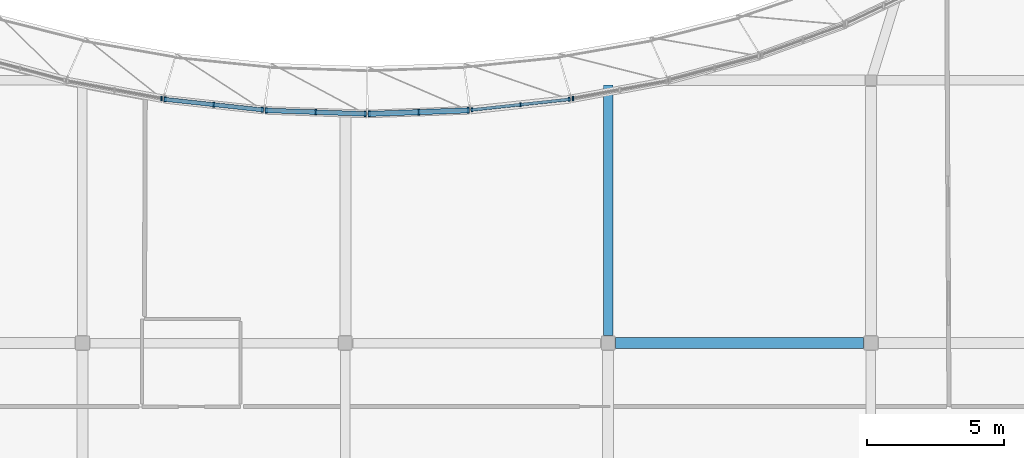
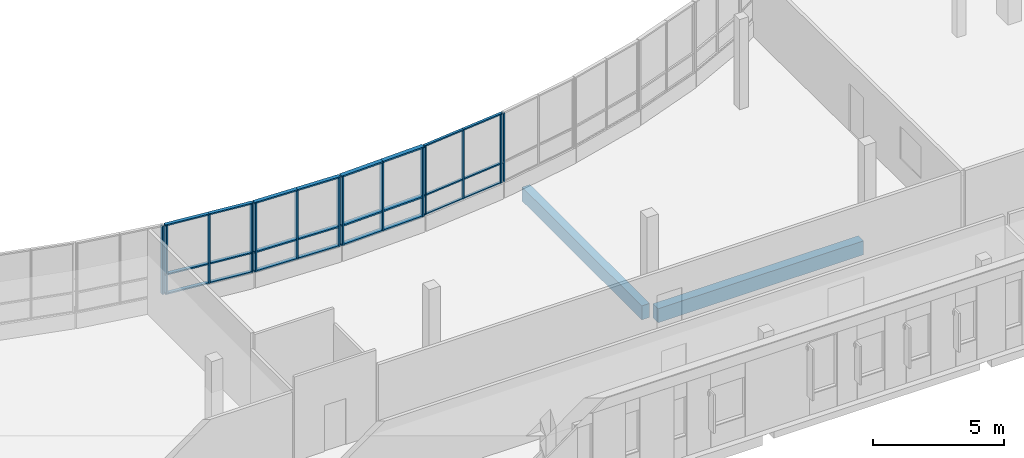
# One storey, part 14 of 84: 38 members, 2 beams, 6 elements without a shape of their own.
"""IFC4 building model written with IfcOpenShell, lengths in metres."""

from ifc_helpers import new_model, si_unit, direction, frame, origin, origin_2d, place, context, subcontext, project, spatial, rectangle, extrude, material, material_profile, profile_set, type_object, element, aggregate, save


model = new_model("IFC4")

# Units and contexts
model_context = context("Model", 3, precision=1e-05, world=origin(), true_north=direction((0.0, 1.0)))
body_context = subcontext(model_context, "Body", "Model", "MODEL_VIEW")
ifc_project = project(units=[si_unit("LENGTHUNIT", "METRE"), si_unit("AREAUNIT", "SQUARE_METRE"), si_unit("VOLUMEUNIT", "CUBIC_METRE"), si_unit("PLANEANGLEUNIT", "RADIAN"), si_unit("MASSUNIT", "GRAM", prefix="KILO")], contexts=[model_context])

# Site, building, storey
site_placement = place(None, origin())
site = spatial("IfcSite", under=ifc_project, at=site_placement, CompositionType="ELEMENT")
building_placement = place(site_placement, origin())
building = spatial("IfcBuilding", under=site, at=building_placement, Name="Mzevani Central Library", CompositionType="ELEMENT")
storey_placement = place(building_placement, frame((0.0, 0.0, 5.39990234375)))
storey = spatial("IfcBuildingStorey", under=building, at=storey_placement, Name="L01", CompositionType="ELEMENT", Elevation=5.39990234375)

# Beams
ifc_material_1 = material(Name="Concrete C35/45", Category="concrete")
ifc_material_profile_1 = material_profile(ifc_material_1, rectangle(XDim=0.35009765625, YDim=0.64990234375, at=origin_2d()), Name="RC B350x650")
ifc_profile_set_1 = profile_set([ifc_material_profile_1], Name="Concrete C35/45")
beam_type_1 = type_object("IfcBeamType", Name="Beam RC 350x650", PredefinedType="BEAM", material=ifc_profile_set_1)
beam_1_placement = place(storey_placement, frame((92.800048828125, 52.27490234375, -0.5849609375), z_axis=(0.0, 1.0, 0.0), x_axis=(-1.0, 0.0, 0.0)))
element("IfcBeam", 1, at=beam_1_placement, inside=storey, type_object=beam_type_1, Name="L01 V1 Frame Beam B-05 (52)", PredefinedType="BEAM", context=body_context, shape_type="SweptSolid", body=[
    extrude(rectangle(XDim=0.35009765625, YDim=0.64990234375, at=origin_2d()), origin(), (0.0, 0.0, 1.0), 9.150146484375),
])
ifc_material_profile_2 = material_profile(ifc_material_1, rectangle(XDim=0.39990234375, YDim=0.64990234375, at=origin_2d()), Name="RC B400x650")
ifc_profile_set_2 = profile_set([ifc_material_profile_2], Name="Concrete C35/45")
beam_type_2 = type_object("IfcBeamType", Name="Beam RC 400x650", PredefinedType="BEAM", material=ifc_profile_set_2)
beam_2_placement = place(storey_placement, frame((93.074951171875, 52.0, -0.5849609375), z_axis=(1.0, 0.0, 0.0), x_axis=(0.0, 1.0, 0.0)))
element("IfcBeam", 2, at=beam_2_placement, inside=storey, type_object=beam_type_2, Name="L01 V1 Girder B-07 (18)", PredefinedType="BEAM", context=body_context, shape_type="SweptSolid", body=[
    extrude(rectangle(XDim=0.39990234375, YDim=0.64990234375, at=origin_2d()), origin(), (0.0, 0.0, 1.0), 9.050048828125),
])

# Curtain wall, members
ifc_material_2 = material(Name="Thermally broken aluminium and Low-E triple glazing", Category="aluminium")
curtain_wall_type_1 = type_object("IfcCurtainWallType", Name="Elliptical Court Unitised Curtain Wall", PredefinedType="NOTDEFINED", material=ifc_material_2)
curtain_wall_1_placement = place(storey_placement, origin())
curtain_wall_1 = element("IfcCurtainWall", 3, at=curtain_wall_1_placement, inside=storey, type_object=curtain_wall_type_1, Name="L01 Elliptical Court Curtain Wall 38", PredefinedType="NOTDEFINED")
ifc_material_3 = material(Name="Thermally broken aluminium AW-6060", Category="aluminium")
ifc_material_profile_3 = material_profile(ifc_material_3, rectangle(XDim=0.06005859375, YDim=0.139892578125, at=origin_2d()), Name="ALU M60x140")
ifc_profile_set_3 = profile_set([ifc_material_profile_3], Name="Thermally broken aluminium AW-6060")
member_type_1 = type_object("IfcMemberType", Name="CW Mullion 60x140", PredefinedType="MULLION", material=ifc_profile_set_3)
member_1_placement = place(storey_placement, frame((87.83251953125, 60.518310546875, 0.72021484375), z_axis=(0.0, 0.0, 1.0), x_axis=(1.0, 0.0, 0.0)))
member_1 = element("IfcMember", 4, at=member_1_placement, type_object=member_type_1, Name="L01 Elliptical Court Curtain Wall 38 Mullion 1", PredefinedType="MULLION", context=body_context, shape_type="SweptSolid", body=[
    extrude(rectangle(XDim=0.06005859375, YDim=0.139892578125, at=origin_2d()), origin(), (0.0, 0.0, 1.0), 3.199951171875),
])
member_2_placement = place(storey_placement, frame((89.6044921875, 60.709716796875, 0.72021484375), z_axis=(0.0, 0.0, 1.0), x_axis=(1.0, 0.0, 0.0)))
member_2 = element("IfcMember", 5, at=member_2_placement, type_object=member_type_1, Name="L01 Elliptical Court Curtain Wall 38 Mullion 2", PredefinedType="MULLION", context=body_context, shape_type="SweptSolid", body=[
    extrude(rectangle(XDim=0.06005859375, YDim=0.139892578125, at=origin_2d()), origin(), (0.0, 0.0, 1.0), 3.199951171875),
])
member_3_placement = place(storey_placement, frame((91.37646484375, 60.90087890625, 0.72021484375), z_axis=(0.0, 0.0, 1.0), x_axis=(1.0, 0.0, 0.0)))
member_3 = element("IfcMember", 6, at=member_3_placement, type_object=member_type_1, Name="L01 Elliptical Court Curtain Wall 38 Mullion 3", PredefinedType="MULLION", context=body_context, shape_type="SweptSolid", body=[
    extrude(rectangle(XDim=0.06005859375, YDim=0.139892578125, at=origin_2d()), origin(), (0.0, 0.0, 1.0), 3.199951171875),
])

# Curtain wall, member
curtain_wall_type_2 = type_object("IfcCurtainWallType", Name="Reading Hall Northlight Curtain Wall", PredefinedType="NOTDEFINED", material=ifc_material_2)
curtain_wall_2_placement = place(storey_placement, origin())
curtain_wall_2 = element("IfcCurtainWall", 7, at=curtain_wall_2_placement, inside=storey, type_object=curtain_wall_type_2, Name="L01 Elliptical Court Curtain Wall 34", PredefinedType="NOTDEFINED")
ifc_material_profile_4 = material_profile(ifc_material_3, rectangle(XDim=0.06005859375, YDim=0.159912109375, at=origin_2d()), Name="ALU M60x160")
ifc_profile_set_4 = profile_set([ifc_material_profile_4], Name="Thermally broken aluminium AW-6060")
member_type_2 = type_object("IfcMemberType", Name="CW Mullion 60x160", PredefinedType="MULLION", material=ifc_profile_set_4)
member_4_placement = place(storey_placement, frame((76.483642578125, 60.935302734375, 0.72021484375), z_axis=(0.0, 0.0, 1.0), x_axis=(1.0, 0.0, 0.0)))
member_4 = element("IfcMember", 8, at=member_4_placement, type_object=member_type_2, Name="L01 Elliptical Court Curtain Wall 34 Mullion 3", PredefinedType="MULLION", context=body_context, shape_type="SweptSolid", body=[
    extrude(rectangle(XDim=0.06005859375, YDim=0.159912109375, at=origin_2d()), origin(), (0.0, 0.0, 1.0), 3.199951171875),
])
aggregate(curtain_wall_2, [member_4])

curtain_wall_3_placement = place(storey_placement, origin())
curtain_wall_3 = element("IfcCurtainWall", 9, at=curtain_wall_3_placement, inside=storey, type_object=curtain_wall_type_1, Name="L01 Elliptical Court Curtain Wall 39", PredefinedType="NOTDEFINED")
member_5_placement = place(storey_placement, frame((91.516357421875, 60.935302734375, 0.72021484375), z_axis=(0.0, 0.0, 1.0), x_axis=(1.0, 0.0, 0.0)))
member_5 = element("IfcMember", 10, at=member_5_placement, type_object=member_type_2, Name="L01 Elliptical Court Curtain Wall 39 Mullion 1", PredefinedType="MULLION", context=body_context, shape_type="SweptSolid", body=[
    extrude(rectangle(XDim=0.06005859375, YDim=0.159912109375, at=origin_2d()), origin(), (0.0, 0.0, 1.0), 3.199951171875),
])
aggregate(curtain_wall_3, [member_5])

# Curtain wall, members
curtain_wall_4_placement = place(storey_placement, origin())
curtain_wall_4 = element("IfcCurtainWall", 11, at=curtain_wall_4_placement, inside=storey, type_object=curtain_wall_type_1, Name="L01 Elliptical Court Curtain Wall 35", PredefinedType="NOTDEFINED")
ifc_material_profile_5 = material_profile(ifc_material_3, rectangle(XDim=0.06005859375, YDim=0.179931640625, at=origin_2d()), Name="ALU M60x180")
ifc_profile_set_5 = profile_set([ifc_material_profile_5], Name="Thermally broken aluminium AW-6060")
member_type_3 = type_object("IfcMemberType", Name="CW Mullion 60x180", PredefinedType="MULLION", material=ifc_profile_set_5)
member_6_placement = place(storey_placement, frame((76.62353515625, 60.90087890625, 0.72021484375), z_axis=(0.0, 0.0, 1.0), x_axis=(1.0, 0.0, 0.0)))
member_6 = element("IfcMember", 12, at=member_6_placement, type_object=member_type_3, Name="L01 Elliptical Court Curtain Wall 35 Mullion 1", PredefinedType="MULLION", context=body_context, shape_type="SweptSolid", body=[
    extrude(rectangle(XDim=0.06005859375, YDim=0.179931640625, at=origin_2d()), origin(), (0.0, 0.0, 1.0), 3.199951171875),
])
member_7_placement = place(storey_placement, frame((78.3955078125, 60.709716796875, 0.72021484375), z_axis=(0.0, 0.0, 1.0), x_axis=(1.0, 0.0, 0.0)))
member_7 = element("IfcMember", 13, at=member_7_placement, type_object=member_type_3, Name="L01 Elliptical Court Curtain Wall 35 Mullion 2", PredefinedType="MULLION", context=body_context, shape_type="SweptSolid", body=[
    extrude(rectangle(XDim=0.06005859375, YDim=0.179931640625, at=origin_2d()), origin(), (0.0, 0.0, 1.0), 3.199951171875),
])
member_8_placement = place(storey_placement, frame((80.16748046875, 60.518310546875, 0.72021484375), z_axis=(0.0, 0.0, 1.0), x_axis=(1.0, 0.0, 0.0)))
member_8 = element("IfcMember", 14, at=member_8_placement, type_object=member_type_3, Name="L01 Elliptical Court Curtain Wall 35 Mullion 3", PredefinedType="MULLION", context=body_context, shape_type="SweptSolid", body=[
    extrude(rectangle(XDim=0.06005859375, YDim=0.179931640625, at=origin_2d()), origin(), (0.0, 0.0, 1.0), 3.199951171875),
])

curtain_wall_5_placement = place(storey_placement, origin())
curtain_wall_5 = element("IfcCurtainWall", 15, at=curtain_wall_5_placement, inside=storey, type_object=curtain_wall_type_1, Name="L01 Elliptical Court Curtain Wall 36", PredefinedType="NOTDEFINED")
ifc_material_profile_6 = material_profile(ifc_material_3, rectangle(XDim=0.06494140625, YDim=0.199951171875, at=origin_2d()), Name="ALU M65x200")
ifc_profile_set_6 = profile_set([ifc_material_profile_6], Name="Thermally broken aluminium AW-6060")
member_type_4 = type_object("IfcMemberType", Name="CW Mullion 65x200", PredefinedType="MULLION", material=ifc_profile_set_6)
member_9_placement = place(storey_placement, frame((80.316650390625, 60.499267578125, 0.72021484375), z_axis=(0.0, 0.0, 1.0), x_axis=(1.0, 0.0, 0.0)))
member_9 = element("IfcMember", 16, at=member_9_placement, type_object=member_type_4, Name="L01 Elliptical Court Curtain Wall 36 Mullion 1", PredefinedType="MULLION", context=body_context, shape_type="SweptSolid", body=[
    extrude(rectangle(XDim=0.06494140625, YDim=0.199951171875, at=origin_2d()), origin(), (0.0, 0.0, 1.0), 3.199951171875),
])
member_10_placement = place(storey_placement, frame((82.1201171875, 60.435302734375, 0.72021484375), z_axis=(0.0, 0.0, 1.0), x_axis=(1.0, 0.0, 0.0)))
member_10 = element("IfcMember", 17, at=member_10_placement, type_object=member_type_4, Name="L01 Elliptical Court Curtain Wall 36 Mullion 2", PredefinedType="MULLION", context=body_context, shape_type="SweptSolid", body=[
    extrude(rectangle(XDim=0.06494140625, YDim=0.199951171875, at=origin_2d()), origin(), (0.0, 0.0, 1.0), 3.199951171875),
])
member_11_placement = place(storey_placement, frame((83.923583984375, 60.37109375, 0.72021484375), z_axis=(0.0, 0.0, 1.0), x_axis=(1.0, 0.0, 0.0)))
member_11 = element("IfcMember", 18, at=member_11_placement, type_object=member_type_4, Name="L01 Elliptical Court Curtain Wall 36 Mullion 3", PredefinedType="MULLION", context=body_context, shape_type="SweptSolid", body=[
    extrude(rectangle(XDim=0.06494140625, YDim=0.199951171875, at=origin_2d()), origin(), (0.0, 0.0, 1.0), 3.199951171875),
])

curtain_wall_6_placement = place(storey_placement, origin())
curtain_wall_6 = element("IfcCurtainWall", 19, at=curtain_wall_6_placement, inside=storey, type_object=curtain_wall_type_2, Name="L01 Elliptical Court Curtain Wall 37", PredefinedType="NOTDEFINED")
ifc_material_profile_7 = material_profile(ifc_material_3, rectangle(XDim=0.070068359375, YDim=0.219970703125, at=origin_2d()), Name="ALU M70x220")
ifc_profile_set_7 = profile_set([ifc_material_profile_7], Name="Thermally broken aluminium AW-6060")
member_type_5 = type_object("IfcMemberType", Name="CW Mullion 70x220", PredefinedType="MULLION", material=ifc_profile_set_7)
member_12_placement = place(storey_placement, frame((84.076416015625, 60.37109375, 0.72021484375), z_axis=(0.0, 0.0, 1.0), x_axis=(1.0, 0.0, 0.0)))
member_12 = element("IfcMember", 20, at=member_12_placement, type_object=member_type_5, Name="L01 Elliptical Court Curtain Wall 37 Mullion 1", PredefinedType="MULLION", context=body_context, shape_type="SweptSolid", body=[
    extrude(rectangle(XDim=0.070068359375, YDim=0.219970703125, at=origin_2d()), origin(), (0.0, 0.0, 1.0), 3.199951171875),
])
member_13_placement = place(storey_placement, frame((85.8798828125, 60.435302734375, 0.72021484375), z_axis=(0.0, 0.0, 1.0), x_axis=(1.0, 0.0, 0.0)))
member_13 = element("IfcMember", 21, at=member_13_placement, type_object=member_type_5, Name="L01 Elliptical Court Curtain Wall 37 Mullion 2", PredefinedType="MULLION", context=body_context, shape_type="SweptSolid", body=[
    extrude(rectangle(XDim=0.070068359375, YDim=0.219970703125, at=origin_2d()), origin(), (0.0, 0.0, 1.0), 3.199951171875),
])
member_14_placement = place(storey_placement, frame((87.683349609375, 60.499267578125, 0.72021484375), z_axis=(0.0, 0.0, 1.0), x_axis=(1.0, 0.0, 0.0)))
member_14 = element("IfcMember", 22, at=member_14_placement, type_object=member_type_5, Name="L01 Elliptical Court Curtain Wall 37 Mullion 3", PredefinedType="MULLION", context=body_context, shape_type="SweptSolid", body=[
    extrude(rectangle(XDim=0.070068359375, YDim=0.219970703125, at=origin_2d()), origin(), (0.0, 0.0, 1.0), 3.199951171875),
])

# Member
ifc_material_profile_8 = material_profile(ifc_material_3, rectangle(XDim=0.110107421875, YDim=0.06005859375, at=origin_2d()), Name="ALU T60x110")
ifc_profile_set_8 = profile_set([ifc_material_profile_8], Name="Thermally broken aluminium AW-6060")
member_type_6 = type_object("IfcMemberType", Name="CW Transom 60x110", PredefinedType="USERDEFINED", material=ifc_profile_set_8)
member_15_placement = place(storey_placement, frame((87.78271484375, 60.512939453125, 0.72021484375), z_axis=(0.994217048084, 0.107389297877, 0.0), x_axis=(-0.107389297877, 0.994217048084, 0.0)))
member_15 = element("IfcMember", 23, at=member_15_placement, type_object=member_type_6, Name="L01 Elliptical Court Curtain Wall 38 Transom 1", ObjectType="TRANSOM", PredefinedType="USERDEFINED", context=body_context, shape_type="SweptSolid", body=[
    extrude(rectangle(XDim=0.110107421875, YDim=0.06005859375, at=origin_2d()), origin(), (0.0, 0.0, 1.0), 1.832275390625),
])

member_16_placement = place(storey_placement, frame((87.78271484375, 60.512939453125, 1.6201171875), z_axis=(0.994217048084, 0.107389297877, 0.0), x_axis=(-0.107389297877, 0.994217048084, 0.0)))
member_16 = element("IfcMember", 24, at=member_16_placement, type_object=member_type_6, Name="L01 Elliptical Court Curtain Wall 38 Transom 2", ObjectType="TRANSOM", PredefinedType="USERDEFINED", context=body_context, shape_type="SweptSolid", body=[
    extrude(rectangle(XDim=0.110107421875, YDim=0.06005859375, at=origin_2d()), origin(), (0.0, 0.0, 1.0), 1.832275390625),
])

member_17_placement = place(storey_placement, frame((87.78271484375, 60.512939453125, 3.920166015625), z_axis=(0.994217048084, 0.107389297877, 0.0), x_axis=(-0.107389297877, 0.994217048084, 0.0)))
member_17 = element("IfcMember", 25, at=member_17_placement, type_object=member_type_6, Name="L01 Elliptical Court Curtain Wall 38 Transom 3", ObjectType="TRANSOM", PredefinedType="USERDEFINED", context=body_context, shape_type="SweptSolid", body=[
    extrude(rectangle(XDim=0.110107421875, YDim=0.06005859375, at=origin_2d()), origin(), (0.0, 0.0, 1.0), 1.832275390625),
])

member_18_placement = place(storey_placement, frame((89.6044921875, 60.709716796875, 0.72021484375), z_axis=(0.994231265085, 0.107257594263, 0.0), x_axis=(-0.107257594263, 0.994231265085, 0.0)))
member_18 = element("IfcMember", 26, at=member_18_placement, type_object=member_type_6, Name="L01 Elliptical Court Curtain Wall 38 Transom 4", ObjectType="TRANSOM", PredefinedType="USERDEFINED", context=body_context, shape_type="SweptSolid", body=[
    extrude(rectangle(XDim=0.110107421875, YDim=0.06005859375, at=origin_2d()), origin(), (0.0, 0.0, 1.0), 1.832275390625),
])

member_19_placement = place(storey_placement, frame((89.6044921875, 60.709716796875, 1.6201171875), z_axis=(0.994231265085, 0.107257594263, 0.0), x_axis=(-0.107257594263, 0.994231265085, 0.0)))
member_19 = element("IfcMember", 27, at=member_19_placement, type_object=member_type_6, Name="L01 Elliptical Court Curtain Wall 38 Transom 5", ObjectType="TRANSOM", PredefinedType="USERDEFINED", context=body_context, shape_type="SweptSolid", body=[
    extrude(rectangle(XDim=0.110107421875, YDim=0.06005859375, at=origin_2d()), origin(), (0.0, 0.0, 1.0), 1.832275390625),
])

member_20_placement = place(storey_placement, frame((89.6044921875, 60.709716796875, 3.920166015625), z_axis=(0.994231265085, 0.107257594263, 0.0), x_axis=(-0.107257594263, 0.994231265085, 0.0)))
member_20 = element("IfcMember", 28, at=member_20_placement, type_object=member_type_6, Name="L01 Elliptical Court Curtain Wall 38 Transom 6", ObjectType="TRANSOM", PredefinedType="USERDEFINED", context=body_context, shape_type="SweptSolid", body=[
    extrude(rectangle(XDim=0.110107421875, YDim=0.06005859375, at=origin_2d()), origin(), (0.0, 0.0, 1.0), 1.832275390625),
])

aggregate(curtain_wall_1, [member_1, member_2, member_3, member_15, member_16, member_17, member_18, member_19, member_20])

ifc_material_profile_9 = material_profile(ifc_material_3, rectangle(XDim=0.14990234375, YDim=0.06005859375, at=origin_2d()), Name="ALU T60x150")
ifc_profile_set_9 = profile_set([ifc_material_profile_9], Name="Thermally broken aluminium AW-6060")
member_type_7 = type_object("IfcMemberType", Name="CW Transom 60x150", PredefinedType="USERDEFINED", material=ifc_profile_set_9)
member_21_placement = place(storey_placement, frame((76.57373046875, 60.90625, 0.72021484375), z_axis=(0.994231265085, -0.107257594263, 0.0), x_axis=(0.107257594263, 0.994231265085, 0.0)))
member_21 = element("IfcMember", 29, at=member_21_placement, type_object=member_type_7, Name="L01 Elliptical Court Curtain Wall 35 Transom 1", ObjectType="TRANSOM", PredefinedType="USERDEFINED", context=body_context, shape_type="SweptSolid", body=[
    extrude(rectangle(XDim=0.14990234375, YDim=0.06005859375, at=origin_2d()), origin(), (0.0, 0.0, 1.0), 1.832275390625),
])

member_22_placement = place(storey_placement, frame((76.57373046875, 60.90625, 1.6201171875), z_axis=(0.994231265085, -0.107257594263, 0.0), x_axis=(0.107257594263, 0.994231265085, 0.0)))
member_22 = element("IfcMember", 30, at=member_22_placement, type_object=member_type_7, Name="L01 Elliptical Court Curtain Wall 35 Transom 2", ObjectType="TRANSOM", PredefinedType="USERDEFINED", context=body_context, shape_type="SweptSolid", body=[
    extrude(rectangle(XDim=0.14990234375, YDim=0.06005859375, at=origin_2d()), origin(), (0.0, 0.0, 1.0), 1.832275390625),
])

member_23_placement = place(storey_placement, frame((76.57373046875, 60.90625, 3.920166015625), z_axis=(0.994231265085, -0.107257594263, 0.0), x_axis=(0.107257594263, 0.994231265085, 0.0)))
member_23 = element("IfcMember", 31, at=member_23_placement, type_object=member_type_7, Name="L01 Elliptical Court Curtain Wall 35 Transom 3", ObjectType="TRANSOM", PredefinedType="USERDEFINED", context=body_context, shape_type="SweptSolid", body=[
    extrude(rectangle(XDim=0.14990234375, YDim=0.06005859375, at=origin_2d()), origin(), (0.0, 0.0, 1.0), 1.832275390625),
])

member_24_placement = place(storey_placement, frame((78.3955078125, 60.709716796875, 0.72021484375), z_axis=(0.994217048084, -0.107389297877, 0.0), x_axis=(0.107389297877, 0.994217048084, 0.0)))
member_24 = element("IfcMember", 32, at=member_24_placement, type_object=member_type_7, Name="L01 Elliptical Court Curtain Wall 35 Transom 4", ObjectType="TRANSOM", PredefinedType="USERDEFINED", context=body_context, shape_type="SweptSolid", body=[
    extrude(rectangle(XDim=0.14990234375, YDim=0.06005859375, at=origin_2d()), origin(), (0.0, 0.0, 1.0), 1.832275390625),
])

member_25_placement = place(storey_placement, frame((78.3955078125, 60.709716796875, 1.6201171875), z_axis=(0.994217048084, -0.107389297877, 0.0), x_axis=(0.107389297877, 0.994217048084, 0.0)))
member_25 = element("IfcMember", 33, at=member_25_placement, type_object=member_type_7, Name="L01 Elliptical Court Curtain Wall 35 Transom 5", ObjectType="TRANSOM", PredefinedType="USERDEFINED", context=body_context, shape_type="SweptSolid", body=[
    extrude(rectangle(XDim=0.14990234375, YDim=0.06005859375, at=origin_2d()), origin(), (0.0, 0.0, 1.0), 1.832275390625),
])

member_26_placement = place(storey_placement, frame((78.3955078125, 60.709716796875, 3.920166015625), z_axis=(0.994217048084, -0.107389297877, 0.0), x_axis=(0.107389297877, 0.994217048084, 0.0)))
member_26 = element("IfcMember", 34, at=member_26_placement, type_object=member_type_7, Name="L01 Elliptical Court Curtain Wall 35 Transom 6", ObjectType="TRANSOM", PredefinedType="USERDEFINED", context=body_context, shape_type="SweptSolid", body=[
    extrude(rectangle(XDim=0.14990234375, YDim=0.06005859375, at=origin_2d()), origin(), (0.0, 0.0, 1.0), 1.832275390625),
])

aggregate(curtain_wall_4, [member_6, member_7, member_8, member_21, member_22, member_23, member_24, member_25, member_26])

ifc_material_profile_10 = material_profile(ifc_material_3, rectangle(XDim=0.169921875, YDim=0.06494140625, at=origin_2d()), Name="ALU T65x170")
ifc_profile_set_10 = profile_set([ifc_material_profile_10], Name="Thermally broken aluminium AW-6060")
member_type_8 = type_object("IfcMemberType", Name="CW Transom 65x170", PredefinedType="USERDEFINED", material=ifc_profile_set_10)
member_27_placement = place(storey_placement, frame((80.2666015625, 60.501220703125, 0.72021484375), z_axis=(0.999368209041, -0.035541282461, 0.0), x_axis=(0.035541282461, 0.999368209041, 0.0)))
member_27 = element("IfcMember", 35, at=member_27_placement, type_object=member_type_8, Name="L01 Elliptical Court Curtain Wall 36 Transom 1", ObjectType="TRANSOM", PredefinedType="USERDEFINED", context=body_context, shape_type="SweptSolid", body=[
    extrude(rectangle(XDim=0.169921875, YDim=0.06494140625, at=origin_2d()), origin(), (0.0, 0.0, 1.0), 1.854736328125),
])

member_28_placement = place(storey_placement, frame((80.2666015625, 60.501220703125, 1.6201171875), z_axis=(0.999368209041, -0.035541282461, 0.0), x_axis=(0.035541282461, 0.999368209041, 0.0)))
member_28 = element("IfcMember", 36, at=member_28_placement, type_object=member_type_8, Name="L01 Elliptical Court Curtain Wall 36 Transom 2", ObjectType="TRANSOM", PredefinedType="USERDEFINED", context=body_context, shape_type="SweptSolid", body=[
    extrude(rectangle(XDim=0.169921875, YDim=0.06494140625, at=origin_2d()), origin(), (0.0, 0.0, 1.0), 1.854736328125),
])

member_29_placement = place(storey_placement, frame((80.2666015625, 60.501220703125, 3.920166015625), z_axis=(0.999368209041, -0.035541282461, 0.0), x_axis=(0.035541282461, 0.999368209041, 0.0)))
member_29 = element("IfcMember", 37, at=member_29_placement, type_object=member_type_8, Name="L01 Elliptical Court Curtain Wall 36 Transom 3", ObjectType="TRANSOM", PredefinedType="USERDEFINED", context=body_context, shape_type="SweptSolid", body=[
    extrude(rectangle(XDim=0.169921875, YDim=0.06494140625, at=origin_2d()), origin(), (0.0, 0.0, 1.0), 1.854736328125),
])

member_30_placement = place(storey_placement, frame((82.1201171875, 60.435302734375, 0.72021484375), z_axis=(0.999368209041, -0.035541282461, 0.0), x_axis=(0.035541282461, 0.999368209041, 0.0)))
member_30 = element("IfcMember", 38, at=member_30_placement, type_object=member_type_8, Name="L01 Elliptical Court Curtain Wall 36 Transom 4", ObjectType="TRANSOM", PredefinedType="USERDEFINED", context=body_context, shape_type="SweptSolid", body=[
    extrude(rectangle(XDim=0.169921875, YDim=0.06494140625, at=origin_2d()), origin(), (0.0, 0.0, 1.0), 1.854736328125),
])

member_31_placement = place(storey_placement, frame((82.1201171875, 60.435302734375, 1.6201171875), z_axis=(0.999368209041, -0.035541282461, 0.0), x_axis=(0.035541282461, 0.999368209041, 0.0)))
member_31 = element("IfcMember", 39, at=member_31_placement, type_object=member_type_8, Name="L01 Elliptical Court Curtain Wall 36 Transom 5", ObjectType="TRANSOM", PredefinedType="USERDEFINED", context=body_context, shape_type="SweptSolid", body=[
    extrude(rectangle(XDim=0.169921875, YDim=0.06494140625, at=origin_2d()), origin(), (0.0, 0.0, 1.0), 1.854736328125),
])

member_32_placement = place(storey_placement, frame((82.1201171875, 60.435302734375, 3.920166015625), z_axis=(0.999368209041, -0.035541282461, 0.0), x_axis=(0.035541282461, 0.999368209041, 0.0)))
member_32 = element("IfcMember", 40, at=member_32_placement, type_object=member_type_8, Name="L01 Elliptical Court Curtain Wall 36 Transom 6", ObjectType="TRANSOM", PredefinedType="USERDEFINED", context=body_context, shape_type="SweptSolid", body=[
    extrude(rectangle(XDim=0.169921875, YDim=0.06494140625, at=origin_2d()), origin(), (0.0, 0.0, 1.0), 1.854736328125),
])

aggregate(curtain_wall_5, [member_9, member_10, member_11, member_27, member_28, member_29, member_30, member_31, member_32])

ifc_material_profile_11 = material_profile(ifc_material_3, rectangle(XDim=0.18994140625, YDim=0.070068359375, at=origin_2d()), Name="ALU T70x190")
ifc_profile_set_11 = profile_set([ifc_material_profile_11], Name="Thermally broken aluminium AW-6060")
member_type_9 = type_object("IfcMemberType", Name="CW Transom 70x190", PredefinedType="USERDEFINED", material=ifc_profile_set_11)
member_33_placement = place(storey_placement, frame((84.0263671875, 60.369384765625, 0.72021484375), z_axis=(0.999368209041, 0.035541282461, 0.0), x_axis=(-0.035541282461, 0.999368209041, 0.0)))
member_33 = element("IfcMember", 41, at=member_33_placement, type_object=member_type_9, Name="L01 Elliptical Court Curtain Wall 37 Transom 1", ObjectType="TRANSOM", PredefinedType="USERDEFINED", context=body_context, shape_type="SweptSolid", body=[
    extrude(rectangle(XDim=0.18994140625, YDim=0.070068359375, at=origin_2d()), origin(), (0.0, 0.0, 1.0), 1.854736328125),
])

member_34_placement = place(storey_placement, frame((84.0263671875, 60.369384765625, 1.6201171875), z_axis=(0.999368209041, 0.035541282461, 0.0), x_axis=(-0.035541282461, 0.999368209041, 0.0)))
member_34 = element("IfcMember", 42, at=member_34_placement, type_object=member_type_9, Name="L01 Elliptical Court Curtain Wall 37 Transom 2", ObjectType="TRANSOM", PredefinedType="USERDEFINED", context=body_context, shape_type="SweptSolid", body=[
    extrude(rectangle(XDim=0.18994140625, YDim=0.070068359375, at=origin_2d()), origin(), (0.0, 0.0, 1.0), 1.854736328125),
])

member_35_placement = place(storey_placement, frame((84.0263671875, 60.369384765625, 3.920166015625), z_axis=(0.999368209041, 0.035541282461, 0.0), x_axis=(-0.035541282461, 0.999368209041, 0.0)))
member_35 = element("IfcMember", 43, at=member_35_placement, type_object=member_type_9, Name="L01 Elliptical Court Curtain Wall 37 Transom 3", ObjectType="TRANSOM", PredefinedType="USERDEFINED", context=body_context, shape_type="SweptSolid", body=[
    extrude(rectangle(XDim=0.18994140625, YDim=0.070068359375, at=origin_2d()), origin(), (0.0, 0.0, 1.0), 1.854736328125),
])

member_36_placement = place(storey_placement, frame((85.8798828125, 60.435302734375, 0.72021484375), z_axis=(0.999368209041, 0.035541282461, 0.0), x_axis=(-0.035541282461, 0.999368209041, 0.0)))
member_36 = element("IfcMember", 44, at=member_36_placement, type_object=member_type_9, Name="L01 Elliptical Court Curtain Wall 37 Transom 4", ObjectType="TRANSOM", PredefinedType="USERDEFINED", context=body_context, shape_type="SweptSolid", body=[
    extrude(rectangle(XDim=0.18994140625, YDim=0.070068359375, at=origin_2d()), origin(), (0.0, 0.0, 1.0), 1.854736328125),
])

member_37_placement = place(storey_placement, frame((85.8798828125, 60.435302734375, 1.6201171875), z_axis=(0.999368209041, 0.035541282461, 0.0), x_axis=(-0.035541282461, 0.999368209041, 0.0)))
member_37 = element("IfcMember", 45, at=member_37_placement, type_object=member_type_9, Name="L01 Elliptical Court Curtain Wall 37 Transom 5", ObjectType="TRANSOM", PredefinedType="USERDEFINED", context=body_context, shape_type="SweptSolid", body=[
    extrude(rectangle(XDim=0.18994140625, YDim=0.070068359375, at=origin_2d()), origin(), (0.0, 0.0, 1.0), 1.854736328125),
])

member_38_placement = place(storey_placement, frame((85.8798828125, 60.435302734375, 3.920166015625), z_axis=(0.999368209041, 0.035541282461, 0.0), x_axis=(-0.035541282461, 0.999368209041, 0.0)))
member_38 = element("IfcMember", 46, at=member_38_placement, type_object=member_type_9, Name="L01 Elliptical Court Curtain Wall 37 Transom 6", ObjectType="TRANSOM", PredefinedType="USERDEFINED", context=body_context, shape_type="SweptSolid", body=[
    extrude(rectangle(XDim=0.18994140625, YDim=0.070068359375, at=origin_2d()), origin(), (0.0, 0.0, 1.0), 1.854736328125),
])

aggregate(curtain_wall_6, [member_12, member_13, member_14, member_33, member_34, member_35, member_36, member_37, member_38])

save(model, "model.ifc")
